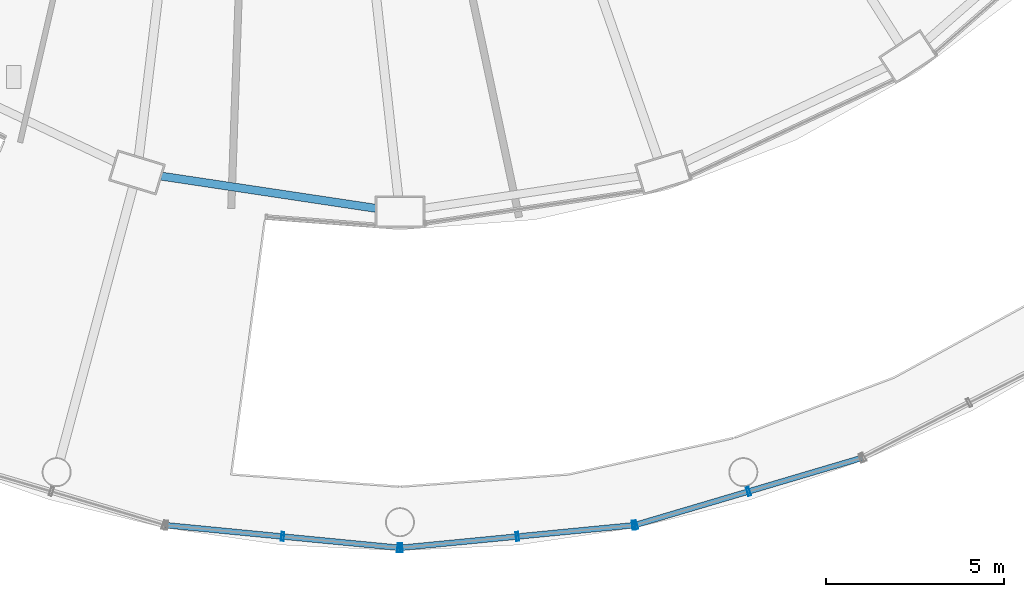
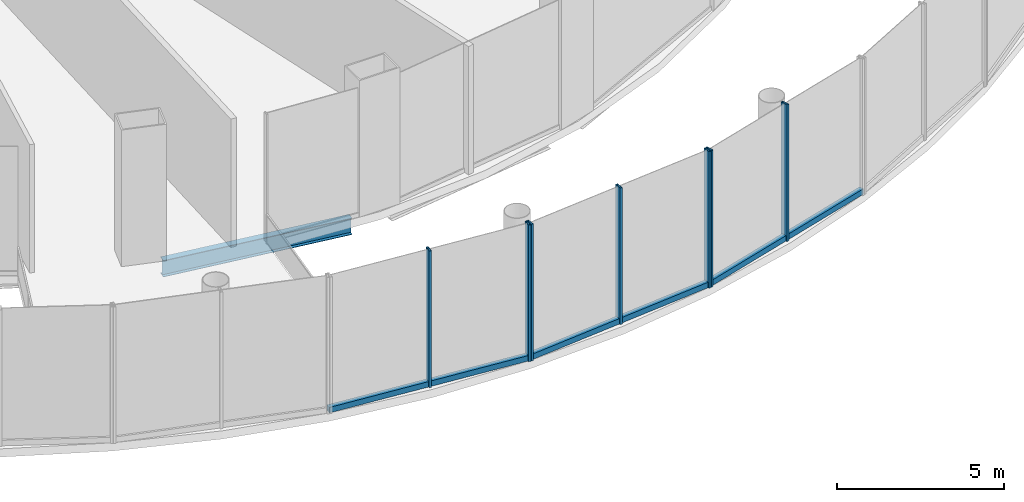
# One storey, part 8 of 47: 10 members, 1 beam, 3 elements without a shape of their own.
"""IFC4 building model written with IfcOpenShell, lengths in metres."""

from ifc_helpers import new_model, si_unit, direction, frame, origin, origin_2d, place, context, subcontext, project, spatial, hollow_rectangle, i_section, extrude, material, layer, layer_set, material_profile, profile_set, type_object, element, aggregate, save


model = new_model("IFC4")

# Units and contexts
model_context = context("Model", 3, precision=1e-05, world=origin(), true_north=direction((0.0, 1.0)))
body_context = subcontext(model_context, "Body", "Model", "MODEL_VIEW")
ifc_project = project(units=[si_unit("LENGTHUNIT", "METRE"), si_unit("AREAUNIT", "SQUARE_METRE"), si_unit("VOLUMEUNIT", "CUBIC_METRE"), si_unit("PLANEANGLEUNIT", "RADIAN"), si_unit("MASSUNIT", "GRAM", prefix="KILO")], contexts=[model_context])

# Site, building, storey
site_placement = place(None, origin())
site = spatial("IfcSite", under=ifc_project, at=site_placement, CompositionType="ELEMENT")
building_placement = place(site_placement, origin())
building = spatial("IfcBuilding", under=site, at=building_placement, Name="Nagisa Residences", CompositionType="ELEMENT")
storey_placement = place(building_placement, frame((0.0, 0.0, 7.0)))
storey = spatial("IfcBuildingStorey", under=building, at=storey_placement, Name="L01", CompositionType="ELEMENT", Elevation=7.0)

# Curtain wall, members
ifc_material_1 = material(Name="Stainless steel curtain wall system", Category="steel")
ifc_layer = layer(ifc_material_1, 0.159912109375)
ifc_layer_set = layer_set([ifc_layer], Name="CW3 CURTAIN WALL")
curtain_wall_type = type_object("IfcCurtainWallType", Name="CW3 CURTAIN WALL", PredefinedType="NOTDEFINED", material=ifc_layer_set)
curtain_wall_1_placement = place(storey_placement, origin())
curtain_wall_1 = element("IfcCurtainWall", 1, at=curtain_wall_1_placement, inside=storey, type_object=curtain_wall_type, Name="cw:CW3:L01:26", PredefinedType="NOTDEFINED")
ifc_material_2 = material(Name="Stainless steel", Category="steel")
ifc_material_profile_1 = material_profile(ifc_material_2, hollow_rectangle(XDim=0.25, YDim=0.080078125, WallThickness=0.008056640625, at=origin_2d()), Name="CW3 MULLION 250x80")
ifc_profile_set_1 = profile_set([ifc_material_profile_1], Name="Stainless steel")
member_type_1 = type_object("IfcMemberType", Name="CW3 MULLION 250x80", PredefinedType="MULLION", material=ifc_profile_set_1)
member_1_placement = place(storey_placement, frame((0.308349609375, -41.601318359375, 0.0), z_axis=(0.0, 0.0, 1.0), x_axis=(0.096249055035, 0.995357282289, 0.0)))
member_1 = element("IfcMember", 2, at=member_1_placement, type_object=member_type_1, Name="CW3 mullion", PredefinedType="MULLION", context=body_context, shape_type="SweptSolid", body=[
    extrude(hollow_rectangle(XDim=0.25, YDim=0.080078125, WallThickness=0.008056640625, at=origin_2d()), origin(), (0.0, 0.0, 1.0), 5.0),
])
member_2_placement = place(storey_placement, frame((3.56787109375, -41.91650390625, 0.0), z_axis=(0.0, 0.0, 1.0), x_axis=(0.096249055035, 0.995357282289, 0.0)))
member_2 = element("IfcMember", 3, at=member_2_placement, type_object=member_type_1, Name="CW3 mullion", PredefinedType="MULLION", context=body_context, shape_type="SweptSolid", body=[
    extrude(hollow_rectangle(XDim=0.25, YDim=0.080078125, WallThickness=0.008056640625, at=origin_2d()), origin(), (0.0, 0.0, 1.0), 5.0),
])

curtain_wall_2_placement = place(storey_placement, origin())
curtain_wall_2 = element("IfcCurtainWall", 4, at=curtain_wall_2_placement, inside=storey, type_object=curtain_wall_type, Name="cw:CW3:L01:27", PredefinedType="NOTDEFINED")
member_3_placement = place(storey_placement, frame((3.632080078125, -41.91650390625, 0.0), z_axis=(0.0, 0.0, 1.0), x_axis=(-0.096249055035, 0.995357282289, 0.0)))
member_3 = element("IfcMember", 5, at=member_3_placement, type_object=member_type_1, Name="CW3 mullion", PredefinedType="MULLION", context=body_context, shape_type="SweptSolid", body=[
    extrude(hollow_rectangle(XDim=0.25, YDim=0.080078125, WallThickness=0.008056640625, at=origin_2d()), origin(), (0.0, 0.0, 1.0), 5.0),
])
member_4_placement = place(storey_placement, frame((6.8916015625, -41.601318359375, 0.0), z_axis=(0.0, 0.0, 1.0), x_axis=(-0.096249055035, 0.995357282289, 0.0)))
member_4 = element("IfcMember", 6, at=member_4_placement, type_object=member_type_1, Name="CW3 mullion", PredefinedType="MULLION", context=body_context, shape_type="SweptSolid", body=[
    extrude(hollow_rectangle(XDim=0.25, YDim=0.080078125, WallThickness=0.008056640625, at=origin_2d()), origin(), (0.0, 0.0, 1.0), 5.0),
])
member_5_placement = place(storey_placement, frame((10.151123046875, -41.2861328125, 0.0), z_axis=(0.0, 0.0, 1.0), x_axis=(-0.096249055035, 0.995357282289, 0.0)))
member_5 = element("IfcMember", 7, at=member_5_placement, type_object=member_type_1, Name="CW3 mullion", PredefinedType="MULLION", context=body_context, shape_type="SweptSolid", body=[
    extrude(hollow_rectangle(XDim=0.25, YDim=0.080078125, WallThickness=0.008056640625, at=origin_2d()), origin(), (0.0, 0.0, 1.0), 5.0),
])

curtain_wall_3_placement = place(storey_placement, origin())
curtain_wall_3 = element("IfcCurtainWall", 8, at=curtain_wall_3_placement, inside=storey, type_object=curtain_wall_type, Name="cw:CW3:L01:28", PredefinedType="NOTDEFINED")
member_6_placement = place(storey_placement, frame((10.21435546875, -41.27392578125, 0.0), z_axis=(0.0, 0.0, 1.0), x_axis=(-0.283963226669, 0.958835171393, 0.0)))
member_6 = element("IfcMember", 9, at=member_6_placement, type_object=member_type_1, Name="CW3 mullion", PredefinedType="MULLION", context=body_context, shape_type="SweptSolid", body=[
    extrude(hollow_rectangle(XDim=0.25, YDim=0.080078125, WallThickness=0.008056640625, at=origin_2d()), origin(), (0.0, 0.0, 1.0), 5.0),
])
member_7_placement = place(storey_placement, frame((13.375, -40.337890625, 0.0), z_axis=(0.0, 0.0, 1.0), x_axis=(-0.283963226669, 0.958835171393, 0.0)))
member_7 = element("IfcMember", 10, at=member_7_placement, type_object=member_type_1, Name="CW3 mullion", PredefinedType="MULLION", context=body_context, shape_type="SweptSolid", body=[
    extrude(hollow_rectangle(XDim=0.25, YDim=0.080078125, WallThickness=0.008056640625, at=origin_2d()), origin(), (0.0, 0.0, 1.0), 5.0),
])

# Member
ifc_material_3 = material(Name="Stainless steel", Category="steel")
ifc_material_profile_2 = material_profile(ifc_material_3, hollow_rectangle(XDim=0.159912109375, YDim=0.199951171875, WallThickness=0.008056640625, at=origin_2d()), Name="CW3 TRANSOM 160x200")
ifc_profile_set_2 = profile_set([ifc_material_profile_2], Name="Stainless steel")
member_type_2 = type_object("IfcMemberType", Name="CW3 TRANSOM 160x200", PredefinedType="USERDEFINED", material=ifc_profile_set_2)
member_8_placement = place(storey_placement, frame((-2.990966796875, -41.2822265625, 0.10009765625), z_axis=(0.995355706687, -0.096265347687, 0.0), x_axis=(0.096265347687, 0.995355706687, 0.0)))
member_8 = element("IfcMember", 11, at=member_8_placement, type_object=member_type_2, Name="CW3 transom", ObjectType="TRANSOM", PredefinedType="USERDEFINED", context=body_context, shape_type="SweptSolid", body=[
    extrude(hollow_rectangle(XDim=0.159912109375, YDim=0.199951171875, WallThickness=0.008056640625, at=origin_2d()), origin(), (0.0, 0.0, 1.0), 6.62939453125),
])

aggregate(curtain_wall_1, [member_1, member_2, member_8])

member_9_placement = place(storey_placement, frame((3.59228515625, -41.92041015625, 0.10009765625), z_axis=(0.995355706687, 0.096265347687, 0.0), x_axis=(-0.096265347687, 0.995355706687, 0.0)))
member_9 = element("IfcMember", 12, at=member_9_placement, type_object=member_type_2, Name="CW3 transom", ObjectType="TRANSOM", PredefinedType="USERDEFINED", context=body_context, shape_type="SweptSolid", body=[
    extrude(hollow_rectangle(XDim=0.159912109375, YDim=0.199951171875, WallThickness=0.008056640625, at=origin_2d()), origin(), (0.0, 0.0, 1.0), 6.62939453125),
])

aggregate(curtain_wall_2, [member_3, member_4, member_5, member_9])

member_10_placement = place(storey_placement, frame((10.176025390625, -41.28515625, 0.10009765625), z_axis=(0.958835384932, 0.283962505627, 0.0), x_axis=(-0.283962505627, 0.958835384932, 0.0)))
member_10 = element("IfcMember", 13, at=member_10_placement, type_object=member_type_2, Name="CW3 transom", ObjectType="TRANSOM", PredefinedType="USERDEFINED", context=body_context, shape_type="SweptSolid", body=[
    extrude(hollow_rectangle(XDim=0.159912109375, YDim=0.199951171875, WallThickness=0.008056640625, at=origin_2d()), origin(), (0.0, 0.0, 1.0), 6.672607421875),
])

aggregate(curtain_wall_3, [member_6, member_7, member_10])

# Beam
ifc_material_4 = material(Name="Steel ASTM A572 Gr 50", Category="steel")
ifc_material_profile_3 = material_profile(ifc_material_4, i_section(OverallWidth=0.22802734375, OverallDepth=0.60302734375, WebThickness=0.010498046875, FlangeThickness=0.014892578125, at=origin_2d()), Name="W610x101")
ifc_profile_set_3 = profile_set([ifc_material_profile_3], Name="Steel ASTM A572 Gr 50")
beam_type = type_object("IfcBeamType", Name="Perimeter ring beam W610x101", PredefinedType="BEAM", material=ifc_profile_set_3)
beam_placement = place(storey_placement, frame((-3.096435546875, -31.49462890625, -0.6015625), z_axis=(0.988914559467, -0.14848566959, 0.0), x_axis=(0.14848566959, 0.988914559467, 0.0)))
element("IfcBeam", 14, at=beam_placement, inside=storey, type_object=beam_type, Name="beam:L01:pb18", PredefinedType="BEAM", context=body_context, shape_type="SweptSolid", body=[
    extrude(i_section(OverallWidth=0.22802734375, OverallDepth=0.60302734375, WebThickness=0.010498046875, FlangeThickness=0.014892578125, at=origin_2d()), origin(), (0.0, 0.0, 1.0), 6.08349609375),
])

save(model, "model.ifc")
